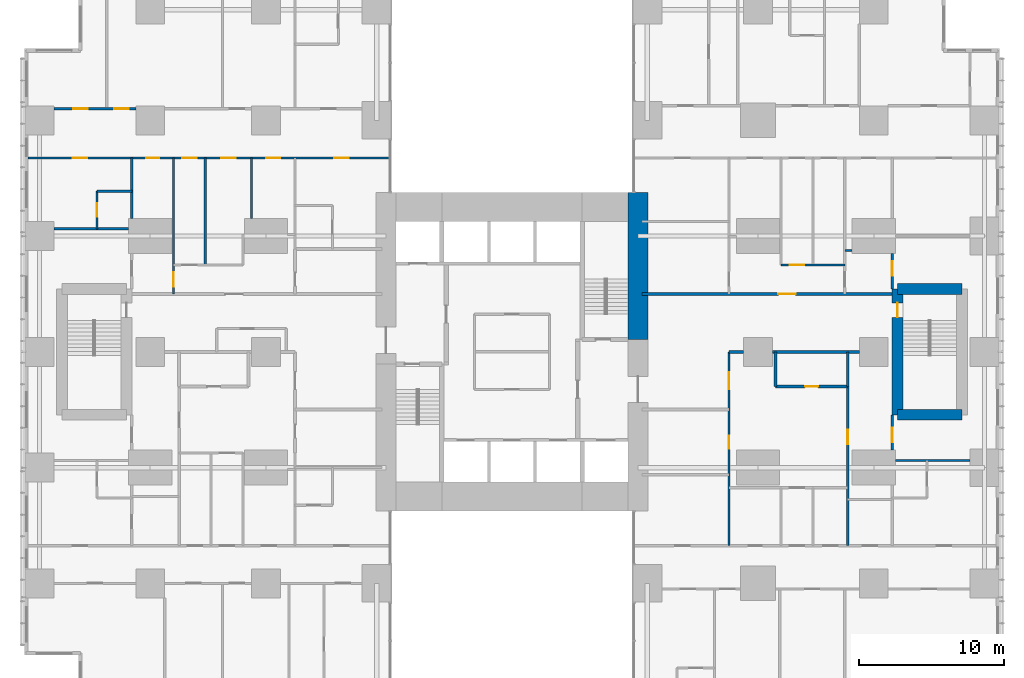
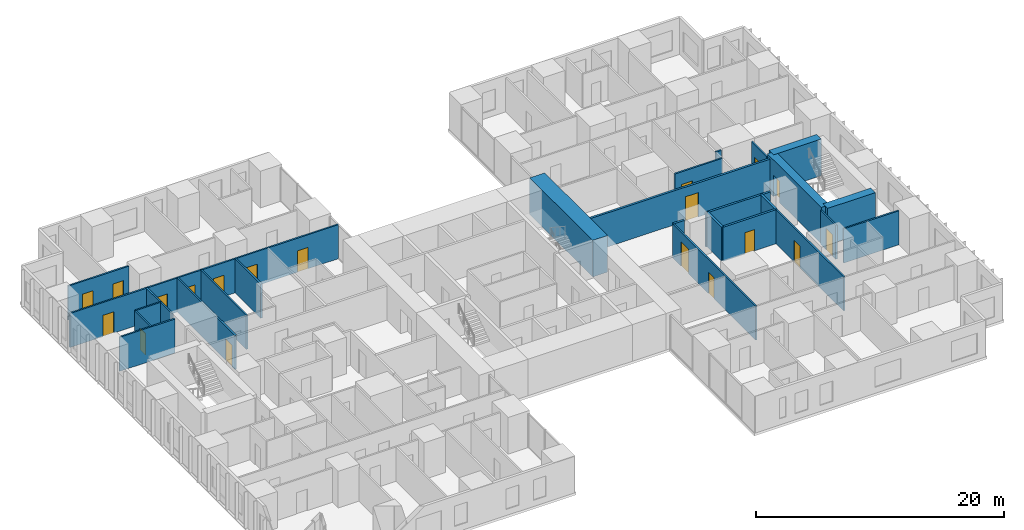
# One storey, part 16 of 20: 26 walls, 19 doors, 19 openings.
"""IFC4 building model written with IfcOpenShell, lengths in metres."""

from ifc_helpers import new_model, si_unit, direction, frame, frame_2d, origin, place, context, subcontext, project, spatial, rectangle, extrude, material, layer, layer_set, type_object, element, fill, save


model = new_model("IFC4")

# Units and contexts
model_context = context("Model", 3, precision=1e-05, world=origin(), true_north=direction((0.0, 1.0)))
body_context = subcontext(model_context, "Body", "Model", "MODEL_VIEW")
ifc_project = project(units=[si_unit("LENGTHUNIT", "METRE"), si_unit("AREAUNIT", "SQUARE_METRE"), si_unit("VOLUMEUNIT", "CUBIC_METRE"), si_unit("PLANEANGLEUNIT", "RADIAN"), si_unit("MASSUNIT", "GRAM", prefix="KILO")], contexts=[model_context])

# Site, building, storey
site_placement = place(None, origin())
site = spatial("IfcSite", under=ifc_project, at=site_placement, CompositionType="ELEMENT")
building_placement = place(site_placement, origin())
building = spatial("IfcBuilding", under=site, at=building_placement, Name="Cleftline Residences", CompositionType="ELEMENT")
storey_placement = place(building_placement, frame((0.0, 0.0, 40.39990234375)))
storey = spatial("IfcBuildingStorey", under=building, at=storey_placement, Name="L09", CompositionType="ELEMENT", Elevation=40.39990234375)

# Wall
ifc_material_1 = material(Name="Concrete B70", Category="concrete")
ifc_layer_1 = layer(ifc_material_1, 1.39990234375)
ifc_layer_set_1 = layer_set([ifc_layer_1], Name="CORE WALL 1400")
wall_type_1 = type_object("IfcWallType", Name="CORE WALL 1400", PredefinedType="SHEAR", material=ifc_layer_set_1)
wall_1_placement = place(storey_placement, frame((41.699951171875, 24.85009765625, 0.0), z_axis=(0.0, 0.0, 1.0), x_axis=(0.0, 1.0, 0.0)))
element("IfcWall", 1, at=wall_1_placement, inside=storey, type_object=wall_type_1, Name="Core wall E1", PredefinedType="SHEAR", context=body_context, shape_type="SweptSolid", body=[
    extrude(rectangle(XDim=10.14990234375, YDim=1.39990234375, at=frame_2d((5.074951171875, 0.0))), origin(), (0.0, 0.0, 1.0), 3.60009765625),
])

# Wall, opening, door
ifc_material_2 = material(Name="Concrete blockwork, fire rated", Category="masonry")
ifc_layer_2 = layer(ifc_material_2, 0.199951171875)
ifc_layer_set_2 = layer_set([ifc_layer_2], Name="FIRE WALL 200")
wall_type_2 = type_object("IfcWallType", Name="FIRE WALL 200", PredefinedType="PARTITIONING", material=ifc_layer_set_2)
wall_2_placement = place(storey_placement, frame((51.199951171875, 21.60009765625, 0.0), z_axis=(0.0, 0.0, 1.0), x_axis=(1.0, 0.0, 0.0)))
wall_2 = element("IfcWall", 2, at=wall_2_placement, inside=storey, type_object=wall_type_2, Name="Fire separating wall", PredefinedType="PARTITIONING", context=body_context, shape_type="SweptSolid", body=[
    extrude(rectangle(XDim=5.0, YDim=0.199951171875, at=frame_2d((2.5, 0.0))), origin(), (0.0, 0.0, 1.0), 3.35009765625),
])
opening_1_placement = place(wall_2_placement, frame((2.050048828125, 0.0, 0.0)))
opening_1 = element("IfcOpeningElement", 3, at=opening_1_placement, cuts=wall_2, Name="Opening D1F30", PredefinedType="OPENING", context=body_context, shape_type="SweptSolid", body=[
    extrude(rectangle(XDim=0.89990234375, YDim=2.10009765625, at=frame_2d((0.449951171875, 1.050048828125))), frame((0.0, 0.10986328125, 0.0), z_axis=(0.0, -1.0, 0.0), x_axis=(1.0, 0.0, 0.0)), (0.0, 0.0, 1.0), 0.219970703125),
])
ifc_material_3 = material(Name="Timber veneer on solid core", Category="wood")
door_type_1 = type_object("IfcDoorType", Name="DOOR 900X2100 EI 30", OperationType="SINGLE_SWING_LEFT", PredefinedType="DOOR", material=ifc_material_3)
door_1_placement = place(opening_1_placement, origin())
door_1 = element("IfcDoor", 4, at=door_1_placement, inside=storey, type_object=door_type_1, Name="Door to cloakroom wc", OperationType="SINGLE_SWING_LEFT", OverallHeight=2.10009765625, OverallWidth=0.89990234375, PredefinedType="DOOR", context=body_context, shape_type="SweptSolid", body=[
    extrude(rectangle(XDim=0.89990234375, YDim=2.10009765625, at=frame_2d((0.449951171875, 1.050048828125))), frame((0.0, 0.02490234375, 0.0), z_axis=(0.0, -1.0, 0.0), x_axis=(1.0, 0.0, 0.0)), (0.0, 0.0, 1.0), 0.050048828125),
])
fill(opening_1, door_1)

# Walls
wall_3_placement = place(storey_placement, frame((48.0, 24.0, 0.0), z_axis=(0.0, 0.0, 1.0), x_axis=(1.0, 0.0, 0.0)))
element("IfcWall", 5, at=wall_3_placement, inside=storey, type_object=wall_type_2, Name="Fire separating wall", PredefinedType="PARTITIONING", context=body_context, shape_type="SweptSolid", body=[
    extrude(rectangle(XDim=1.0, YDim=0.199951171875, at=frame_2d((0.5, 0.0))), origin(), (0.0, 0.0, 1.0), 3.35009765625),
])
wall_4_placement = place(storey_placement, frame((51.0, 24.0, 0.0), z_axis=(0.0, 0.0, 1.0), x_axis=(1.0, 0.0, 0.0)))
element("IfcWall", 6, at=wall_4_placement, inside=storey, type_object=wall_type_2, Name="Fire separating wall", PredefinedType="PARTITIONING", context=body_context, shape_type="SweptSolid", body=[
    extrude(rectangle(XDim=6.0, YDim=0.199951171875, at=frame_2d((3.0, 0.0))), origin(), (0.0, 0.0, 1.0), 3.35009765625),
])

# Wall, opening, door
wall_5_placement = place(storey_placement, frame((42.0, 28.0, 0.0), z_axis=(0.0, 0.0, 1.0), x_axis=(1.0, 0.0, 0.0)))
wall_5 = element("IfcWall", 7, at=wall_5_placement, inside=storey, type_object=wall_type_2, Name="Fire separating wall", PredefinedType="PARTITIONING", context=body_context, shape_type="SweptSolid", body=[
    extrude(rectangle(XDim=17.27490234375, YDim=0.199951171875, at=frame_2d((8.637451171875, 0.0))), origin(), (0.0, 0.0, 1.0), 3.35009765625),
])
opening_2_placement = place(wall_5_placement, frame((9.39990234375, 0.0, 0.0)))
opening_2 = element("IfcOpeningElement", 8, at=opening_2_placement, cuts=wall_5, Name="Opening D4", PredefinedType="OPENING", context=body_context, shape_type="SweptSolid", body=[
    extrude(rectangle(XDim=1.199951171875, YDim=2.39990234375, at=frame_2d((0.60009765625, 1.199951171875))), frame((0.0, 0.10986328125, 0.0), z_axis=(0.0, -1.0, 0.0), x_axis=(1.0, 0.0, 0.0)), (0.0, 0.0, 1.0), 0.219970703125),
])
ifc_material_4 = material(Name="Timber veneer on solid core", Category="wood")
door_type_2 = type_object("IfcDoorType", Name="APARTMENT ENTRANCE DOOR 1200X2400", OperationType="SINGLE_SWING_RIGHT", PredefinedType="DOOR", material=ifc_material_4)
door_2_placement = place(opening_2_placement, origin())
door_2 = element("IfcDoor", 9, at=door_2_placement, inside=storey, type_object=door_type_2, Name="Door to residence entrance foyer", OperationType="SINGLE_SWING_LEFT", OverallHeight=2.39990234375, OverallWidth=1.199951171875, PredefinedType="DOOR", context=body_context, shape_type="SweptSolid", body=[
    extrude(rectangle(XDim=1.199951171875, YDim=2.39990234375, at=frame_2d((0.60009765625, 1.199951171875))), frame((0.0, 0.02490234375, 0.0), z_axis=(0.0, -1.0, 0.0), x_axis=(1.0, 0.0, 0.0)), (0.0, 0.0, 1.0), 0.050048828125),
])
fill(opening_2, door_2)

# Walls
for number, where, z_axis, x_axis, name in (
    (10, (51.199951171875, 21.60009765625, 0.0), (0.0, 0.0, 1.0), (0.0, 1.0, 0.0), "Fire separating wall"),
    (11, (56.199951171875, 21.60009765625, 0.0), (0.0, 0.0, 1.0), (0.0, 1.0, 0.0), "Fire separating wall"),
):
    element("IfcWall", number, at=place(storey_placement, frame(where, z_axis=z_axis, x_axis=x_axis)), inside=storey, type_object=wall_type_2, Name=name, PredefinedType="PARTITIONING", context=body_context, shape_type="SweptSolid", body=[
        extrude(rectangle(XDim=2.39990234375, YDim=0.199951171875, at=frame_2d((1.199951171875, 0.0))), origin(), (0.0, 0.0, 1.0), 3.35009765625),
    ])
ifc_material_5 = material(Name="Gypsum board on steel studs", Category="steel")
ifc_layer_3 = layer(ifc_material_5, 0.14990234375)
ifc_layer_set_3 = layer_set([ifc_layer_3], Name="PARTITION 150")
wall_type_3 = type_object("IfcWallType", Name="PARTITION 150", PredefinedType="PARTITIONING", material=ifc_layer_set_3)
wall_6_placement = place(storey_placement, frame((59.5, 16.5, 0.0), z_axis=(0.0, 0.0, 1.0), x_axis=(1.0, 0.0, 0.0)))
element("IfcWall", 12, at=wall_6_placement, inside=storey, type_object=wall_type_3, Name="Partition", PredefinedType="PARTITIONING", context=body_context, shape_type="SweptSolid", body=[
    extrude(rectangle(XDim=5.14990234375, YDim=0.14990234375, at=frame_2d((2.574951171875, 0.0))), origin(), (0.0, 0.0, 1.0), 3.35009765625),
])

# Wall, opening, door
wall_7_placement = place(storey_placement, frame((51.60009765625, 30.0, 0.0), z_axis=(0.0, 0.0, 1.0), x_axis=(1.0, 0.0, 0.0)))
wall_7 = element("IfcWall", 13, at=wall_7_placement, inside=storey, type_object=wall_type_3, Name="Partition", PredefinedType="PARTITIONING", context=body_context, shape_type="SweptSolid", body=[
    extrude(rectangle(XDim=4.39990234375, YDim=0.14990234375, at=frame_2d((2.199951171875, 0.0))), origin(), (0.0, 0.0, 1.0), 3.35009765625),
])
opening_3_placement = place(wall_7_placement, frame((0.60009765625, 0.0, 0.0)))
opening_3 = element("IfcOpeningElement", 14, at=opening_3_placement, cuts=wall_7, Name="Opening D2", PredefinedType="OPENING", context=body_context, shape_type="SweptSolid", body=[
    extrude(rectangle(XDim=1.0, YDim=2.10009765625, at=frame_2d((0.5, 1.050048828125))), frame((0.0, 0.0849609375, 0.0), z_axis=(0.0, -1.0, 0.0), x_axis=(1.0, 0.0, 0.0)), (0.0, 0.0, 1.0), 0.169921875),
])
ifc_material_6 = material(Name="Timber veneer on solid core", Category="wood")
door_type_3 = type_object("IfcDoorType", Name="DOOR 1000X2100", OperationType="SINGLE_SWING_LEFT", PredefinedType="DOOR", material=ifc_material_6)
door_3_placement = place(opening_3_placement, origin())
door_3 = element("IfcDoor", 15, at=door_3_placement, inside=storey, type_object=door_type_3, Name="Door to residence passage", OperationType="SINGLE_SWING_RIGHT", OverallHeight=2.10009765625, OverallWidth=1.0, PredefinedType="DOOR", context=body_context, shape_type="SweptSolid", body=[
    extrude(rectangle(XDim=1.0, YDim=2.10009765625, at=frame_2d((0.5, 1.050048828125))), frame((0.0, 0.02490234375, 0.0), z_axis=(0.0, -1.0, 0.0), x_axis=(1.0, 0.0, 0.0)), (0.0, 0.0, 1.0), 0.050048828125),
])
fill(opening_3, door_3)

# Walls
wall_8_placement = place(storey_placement, frame((56.0, 31.0, 0.0), z_axis=(0.0, 0.0, 1.0), x_axis=(1.0, 0.0, 0.0)))
element("IfcWall", 16, at=wall_8_placement, inside=storey, type_object=wall_type_3, Name="Partition", PredefinedType="PARTITIONING", context=body_context, shape_type="SweptSolid", body=[
    extrude(rectangle(XDim=0.5, YDim=0.14990234375, at=frame_2d((0.25, 0.0))), origin(), (0.0, 0.0, 1.0), 3.35009765625),
])
wall_9_placement = place(storey_placement, frame((1.35009765625, 32.5, 0.0), z_axis=(0.0, 0.0, 1.0), x_axis=(1.0, 0.0, 0.0)))
element("IfcWall", 17, at=wall_9_placement, inside=storey, type_object=wall_type_3, Name="Partition", PredefinedType="PARTITIONING", context=body_context, shape_type="SweptSolid", body=[
    extrude(rectangle(XDim=5.14990234375, YDim=0.14990234375, at=frame_2d((2.574951171875, 0.0))), origin(), (0.0, 0.0, 1.0), 3.35009765625),
])
wall_10_placement = place(storey_placement, frame((4.324951171875, 35.10009765625, 0.0), z_axis=(0.0, 0.0, 1.0), x_axis=(1.0, 0.0, 0.0)))
element("IfcWall", 18, at=wall_10_placement, inside=storey, type_object=wall_type_3, Name="Partition", PredefinedType="PARTITIONING", context=body_context, shape_type="SweptSolid", body=[
    extrude(rectangle(XDim=2.400146484375, YDim=0.14990234375, at=frame_2d((1.2001953125, 0.0))), origin(), (0.0, 0.0, 1.0), 3.35009765625),
])

# Wall, openings, doors
wall_11_placement = place(storey_placement, frame((-0.449951171875, 37.39990234375, 0.0), z_axis=(0.0, 0.0, 1.0), x_axis=(1.0, 0.0, 0.0)))
wall_11 = element("IfcWall", 19, at=wall_11_placement, inside=storey, type_object=wall_type_3, Name="Partition", PredefinedType="PARTITIONING", context=body_context, shape_type="SweptSolid", body=[
    extrude(rectangle(XDim=25.010986328125, YDim=0.14990234375, at=frame_2d((12.50537109375, 0.0))), origin(), (0.0, 0.0, 1.0), 3.35009765625),
])
opening_4_placement = place(wall_11_placement, frame((10.64990234375, 0.0, 0.0)))
opening_4 = element("IfcOpeningElement", 20, at=opening_4_placement, cuts=wall_11, Name="Opening D2", PredefinedType="OPENING", context=body_context, shape_type="SweptSolid", body=[
    extrude(rectangle(XDim=1.0, YDim=2.10009765625, at=frame_2d((0.5, 1.050048828125))), frame((0.0, 0.0849609375, 0.0), z_axis=(0.0, -1.0, 0.0), x_axis=(1.0, 0.0, 0.0)), (0.0, 0.0, 1.0), 0.169921875),
])
opening_5_placement = place(wall_11_placement, frame((3.08740234375, 0.0, 0.0)))
opening_5 = element("IfcOpeningElement", 21, at=opening_5_placement, cuts=wall_11, Name="Opening D2", PredefinedType="OPENING", context=body_context, shape_type="SweptSolid", body=[
    extrude(rectangle(XDim=1.0, YDim=2.10009765625, at=frame_2d((0.5, 1.050048828125))), frame((0.0, 0.0849609375, 0.0), z_axis=(0.0, -1.0, 0.0), x_axis=(1.0, 0.0, 0.0)), (0.0, 0.0, 1.0), 0.169921875),
])
opening_6_placement = place(wall_11_placement, frame((8.16259765625, 0.0, 0.0)))
opening_6 = element("IfcOpeningElement", 22, at=opening_6_placement, cuts=wall_11, Name="Opening D1", PredefinedType="OPENING", context=body_context, shape_type="SweptSolid", body=[
    extrude(rectangle(XDim=0.89990234375, YDim=2.10009765625, at=frame_2d((0.449951171875, 1.050048828125))), frame((0.0, 0.0849609375, 0.0), z_axis=(0.0, -1.0, 0.0), x_axis=(1.0, 0.0, 0.0)), (0.0, 0.0, 1.0), 0.169921875),
])
opening_7_placement = place(wall_11_placement, frame((13.35009765625, 0.0, 0.0)))
opening_7 = element("IfcOpeningElement", 23, at=opening_7_placement, cuts=wall_11, Name="Opening D2", PredefinedType="OPENING", context=body_context, shape_type="SweptSolid", body=[
    extrude(rectangle(XDim=1.0, YDim=2.10009765625, at=frame_2d((0.5, 1.050048828125))), frame((0.0, 0.0849609375, 0.0), z_axis=(0.0, -1.0, 0.0), x_axis=(1.0, 0.0, 0.0)), (0.0, 0.0, 1.0), 0.169921875),
])
opening_8_placement = place(wall_11_placement, frame((16.449951171875, 0.0, 0.0)))
opening_8 = element("IfcOpeningElement", 24, at=opening_8_placement, cuts=wall_11, Name="Opening D2", PredefinedType="OPENING", context=body_context, shape_type="SweptSolid", body=[
    extrude(rectangle(XDim=1.0, YDim=2.10009765625, at=frame_2d((0.5, 1.050048828125))), frame((0.0, 0.0849609375, 0.0), z_axis=(0.0, -1.0, 0.0), x_axis=(1.0, 0.0, 0.0)), (0.0, 0.0, 1.0), 0.169921875),
])
opening_9_placement = place(wall_11_placement, frame((21.175048828125, 0.0, 0.0)))
opening_9 = element("IfcOpeningElement", 25, at=opening_9_placement, cuts=wall_11, Name="Opening D2", PredefinedType="OPENING", context=body_context, shape_type="SweptSolid", body=[
    extrude(rectangle(XDim=1.0, YDim=2.10009765625, at=frame_2d((0.5, 1.050048828125))), frame((0.0, 0.0849609375, 0.0), z_axis=(0.0, -1.0, 0.0), x_axis=(1.0, 0.0, 0.0)), (0.0, 0.0, 1.0), 0.169921875),
])
door_4_placement = place(opening_4_placement, origin())
door_4 = element("IfcDoor", 26, at=door_4_placement, inside=storey, type_object=door_type_3, Name="Door to residence hall", OperationType="SINGLE_SWING_RIGHT", OverallHeight=2.10009765625, OverallWidth=1.0, PredefinedType="DOOR", context=body_context, shape_type="SweptSolid", body=[
    extrude(rectangle(XDim=1.0, YDim=2.10009765625, at=frame_2d((0.5, 1.050048828125))), frame((0.0, 0.02490234375, 0.0), z_axis=(0.0, -1.0, 0.0), x_axis=(1.0, 0.0, 0.0)), (0.0, 0.0, 1.0), 0.050048828125),
])
fill(opening_4, door_4)
door_5_placement = place(opening_5_placement, origin())
door_5 = element("IfcDoor", 27, at=door_5_placement, inside=storey, type_object=door_type_3, Name="Door to bedroom 2", OperationType="SINGLE_SWING_RIGHT", OverallHeight=2.10009765625, OverallWidth=1.0, PredefinedType="DOOR", context=body_context, shape_type="SweptSolid", body=[
    extrude(rectangle(XDim=1.0, YDim=2.10009765625, at=frame_2d((0.5, 1.050048828125))), frame((0.0, 0.02490234375, 0.0), z_axis=(0.0, -1.0, 0.0), x_axis=(1.0, 0.0, 0.0)), (0.0, 0.0, 1.0), 0.050048828125),
])
fill(opening_5, door_5)
door_6_placement = place(opening_7_placement, origin())
door_6 = element("IfcDoor", 28, at=door_6_placement, inside=storey, type_object=door_type_3, Name="Door to family room", OperationType="SINGLE_SWING_LEFT", OverallHeight=2.10009765625, OverallWidth=1.0, PredefinedType="DOOR", context=body_context, shape_type="SweptSolid", body=[
    extrude(rectangle(XDim=1.0, YDim=2.10009765625, at=frame_2d((0.5, 1.050048828125))), frame((0.0, 0.02490234375, 0.0), z_axis=(0.0, -1.0, 0.0), x_axis=(1.0, 0.0, 0.0)), (0.0, 0.0, 1.0), 0.050048828125),
])
fill(opening_7, door_6)
door_7_placement = place(opening_8_placement, origin())
door_7 = element("IfcDoor", 29, at=door_7_placement, inside=storey, type_object=door_type_3, Name="Door to wet kitchen", OperationType="SINGLE_SWING_LEFT", OverallHeight=2.10009765625, OverallWidth=1.0, PredefinedType="DOOR", context=body_context, shape_type="SweptSolid", body=[
    extrude(rectangle(XDim=1.0, YDim=2.10009765625, at=frame_2d((0.5, 1.050048828125))), frame((0.0, 0.02490234375, 0.0), z_axis=(0.0, -1.0, 0.0), x_axis=(1.0, 0.0, 0.0)), (0.0, 0.0, 1.0), 0.050048828125),
])
fill(opening_8, door_7)
door_8_placement = place(opening_9_placement, origin())
door_8 = element("IfcDoor", 30, at=door_8_placement, inside=storey, type_object=door_type_3, Name="Door to bedroom 3", OperationType="SINGLE_SWING_LEFT", OverallHeight=2.10009765625, OverallWidth=1.0, PredefinedType="DOOR", context=body_context, shape_type="SweptSolid", body=[
    extrude(rectangle(XDim=1.0, YDim=2.10009765625, at=frame_2d((0.5, 1.050048828125))), frame((0.0, 0.02490234375, 0.0), z_axis=(0.0, -1.0, 0.0), x_axis=(1.0, 0.0, 0.0)), (0.0, 0.0, 1.0), 0.050048828125),
])
fill(opening_9, door_8)
ifc_material_7 = material(Name="Timber veneer on solid core", Category="wood")
door_type_4 = type_object("IfcDoorType", Name="DOOR 900X2100", OperationType="SINGLE_SWING_LEFT", PredefinedType="DOOR", material=ifc_material_7)
door_9_placement = place(opening_6_placement, origin())
door_9 = element("IfcDoor", 31, at=door_9_placement, inside=storey, type_object=door_type_4, Name="Door to linen store", OperationType="SINGLE_SWING_RIGHT", OverallHeight=2.10009765625, OverallWidth=0.89990234375, PredefinedType="DOOR", context=body_context, shape_type="SweptSolid", body=[
    extrude(rectangle(XDim=0.89990234375, YDim=2.10009765625, at=frame_2d((0.449951171875, 1.050048828125))), frame((0.0, 0.02490234375, 0.0), z_axis=(0.0, -1.0, 0.0), x_axis=(1.0, 0.0, 0.0)), (0.0, 0.0, 1.0), 0.050048828125),
])
fill(opening_6, door_9)

wall_12_placement = place(storey_placement, frame((1.35009765625, 40.800048828125, 0.0), z_axis=(0.0, 0.0, 1.0), x_axis=(1.0, 0.0, 0.0)))
wall_12 = element("IfcWall", 32, at=wall_12_placement, inside=storey, type_object=wall_type_3, Name="Partition", PredefinedType="PARTITIONING", context=body_context, shape_type="SweptSolid", body=[
    extrude(rectangle(XDim=5.64990234375, YDim=0.14990234375, at=frame_2d((2.824951171875, 0.0))), origin(), (0.0, 0.0, 1.0), 3.35009765625),
])
opening_10_placement = place(wall_12_placement, frame((1.324951171875, 0.0, 0.0)))
opening_10 = element("IfcOpeningElement", 33, at=opening_10_placement, cuts=wall_12, Name="Opening D2", PredefinedType="OPENING", context=body_context, shape_type="SweptSolid", body=[
    extrude(rectangle(XDim=1.0, YDim=2.10009765625, at=frame_2d((0.5, 1.050048828125))), frame((0.0, 0.0849609375, 0.0), z_axis=(0.0, -1.0, 0.0), x_axis=(1.0, 0.0, 0.0)), (0.0, 0.0, 1.0), 0.169921875),
])
opening_11_placement = place(wall_12_placement, frame((4.14990234375, 0.0, 0.0)))
opening_11 = element("IfcOpeningElement", 34, at=opening_11_placement, cuts=wall_12, Name="Opening D2", PredefinedType="OPENING", context=body_context, shape_type="SweptSolid", body=[
    extrude(rectangle(XDim=1.0, YDim=2.10009765625, at=frame_2d((0.5, 1.050048828125))), frame((0.0, 0.0849609375, 0.0), z_axis=(0.0, -1.0, 0.0), x_axis=(1.0, 0.0, 0.0)), (0.0, 0.0, 1.0), 0.169921875),
])
door_10_placement = place(opening_10_placement, origin())
door_10 = element("IfcDoor", 35, at=door_10_placement, inside=storey, type_object=door_type_3, Name="Door to winter garden", OperationType="SINGLE_SWING_RIGHT", OverallHeight=2.10009765625, OverallWidth=1.0, PredefinedType="DOOR", context=body_context, shape_type="SweptSolid", body=[
    extrude(rectangle(XDim=1.0, YDim=2.10009765625, at=frame_2d((0.5, 1.050048828125))), frame((0.0, 0.02490234375, 0.0), z_axis=(0.0, -1.0, 0.0), x_axis=(1.0, 0.0, 0.0)), (0.0, 0.0, 1.0), 0.050048828125),
])
fill(opening_10, door_10)
door_11_placement = place(opening_11_placement, origin())
door_11 = element("IfcDoor", 36, at=door_11_placement, inside=storey, type_object=door_type_3, Name="Door to living and dining room", OperationType="SINGLE_SWING_LEFT", OverallHeight=2.10009765625, OverallWidth=1.0, PredefinedType="DOOR", context=body_context, shape_type="SweptSolid", body=[
    extrude(rectangle(XDim=1.0, YDim=2.10009765625, at=frame_2d((0.5, 1.050048828125))), frame((0.0, 0.02490234375, 0.0), z_axis=(0.0, -1.0, 0.0), x_axis=(1.0, 0.0, 0.0)), (0.0, 0.0, 1.0), 0.050048828125),
])
fill(opening_11, door_11)

# Wall, opening, door
wall_13_placement = place(storey_placement, frame((4.324951171875, 32.5, 0.0), z_axis=(0.0, 0.0, 1.0), x_axis=(0.0, 1.0, 0.0)))
wall_13 = element("IfcWall", 37, at=wall_13_placement, inside=storey, type_object=wall_type_3, Name="Partition", PredefinedType="PARTITIONING", context=body_context, shape_type="SweptSolid", body=[
    extrude(rectangle(XDim=2.60009765625, YDim=0.14990234375, at=frame_2d((1.300048828125, 0.0))), origin(), (0.0, 0.0, 1.0), 3.35009765625),
])
opening_12_placement = place(wall_13_placement, frame((0.85009765625, 0.0, 0.0)))
opening_12 = element("IfcOpeningElement", 38, at=opening_12_placement, cuts=wall_13, Name="Opening D1", PredefinedType="OPENING", context=body_context, shape_type="SweptSolid", body=[
    extrude(rectangle(XDim=0.89990234375, YDim=2.10009765625, at=frame_2d((0.449951171875, 1.050048828125))), frame((0.0, 0.0849609375, 0.0), z_axis=(0.0, -1.0, 0.0), x_axis=(1.0, 0.0, 0.0)), (0.0, 0.0, 1.0), 0.169921875),
])
door_12_placement = place(opening_12_placement, origin())
door_12 = element("IfcDoor", 39, at=door_12_placement, inside=storey, type_object=door_type_4, Name="Door to en-suite bathroom 2", OperationType="SINGLE_SWING_LEFT", OverallHeight=2.10009765625, OverallWidth=0.89990234375, PredefinedType="DOOR", context=body_context, shape_type="SweptSolid", body=[
    extrude(rectangle(XDim=0.89990234375, YDim=2.10009765625, at=frame_2d((0.449951171875, 1.050048828125))), frame((0.0, 0.02490234375, 0.0), z_axis=(0.0, -1.0, 0.0), x_axis=(1.0, 0.0, 0.0)), (0.0, 0.0, 1.0), 0.050048828125),
])
fill(opening_12, door_12)

# Wall
wall_14_placement = place(storey_placement, frame((6.72509765625, 33.199951171875, 0.0), z_axis=(0.0, 0.0, 1.0), x_axis=(0.0, 1.0, 0.0)))
element("IfcWall", 40, at=wall_14_placement, inside=storey, type_object=wall_type_3, Name="Partition", PredefinedType="PARTITIONING", context=body_context, shape_type="SweptSolid", body=[
    extrude(rectangle(XDim=4.199951171875, YDim=0.14990234375, at=frame_2d((2.10009765625, 0.0))), origin(), (0.0, 0.0, 1.0), 3.35009765625),
])

# Wall, opening, door
wall_15_placement = place(storey_placement, frame((9.60009765625, 28.0, 0.0), z_axis=(0.0, 0.0, 1.0), x_axis=(0.0, 1.0, 0.0)))
wall_15 = element("IfcWall", 41, at=wall_15_placement, inside=storey, type_object=wall_type_3, Name="Partition", PredefinedType="PARTITIONING", context=body_context, shape_type="SweptSolid", body=[
    extrude(rectangle(XDim=9.39990234375, YDim=0.14990234375, at=frame_2d((4.699951171875, 0.0))), origin(), (0.0, 0.0, 1.0), 3.35009765625),
])
opening_13_placement = place(wall_15_placement, frame((0.5, 0.0, 0.0)))
opening_13 = element("IfcOpeningElement", 42, at=opening_13_placement, cuts=wall_15, Name="Opening D2F30", PredefinedType="OPENING", context=body_context, shape_type="SweptSolid", body=[
    extrude(rectangle(XDim=1.0, YDim=2.10009765625, at=frame_2d((0.5, 1.050048828125))), frame((0.0, 0.0849609375, 0.0), z_axis=(0.0, -1.0, 0.0), x_axis=(1.0, 0.0, 0.0)), (0.0, 0.0, 1.0), 0.169921875),
])
ifc_material_8 = material(Name="Timber veneer on solid core", Category="wood")
door_type_5 = type_object("IfcDoorType", Name="DOOR 1000X2100 EI 30", OperationType="SINGLE_SWING_LEFT", PredefinedType="DOOR", material=ifc_material_8)
door_13_placement = place(opening_13_placement, origin())
door_13 = element("IfcDoor", 43, at=door_13_placement, inside=storey, type_object=door_type_5, Name="Door to residence lobby (service)", OperationType="SINGLE_SWING_RIGHT", OverallHeight=2.10009765625, OverallWidth=1.0, PredefinedType="DOOR", context=body_context, shape_type="SweptSolid", body=[
    extrude(rectangle(XDim=1.0, YDim=2.10009765625, at=frame_2d((0.5, 1.050048828125))), frame((0.0, 0.02490234375, 0.0), z_axis=(0.0, -1.0, 0.0), x_axis=(1.0, 0.0, 0.0)), (0.0, 0.0, 1.0), 0.050048828125),
])
fill(opening_13, door_13)

# Walls
wall_16_placement = place(storey_placement, frame((11.800048828125, 30.0, 0.0), z_axis=(0.0, 0.0, 1.0), x_axis=(0.0, 1.0, 0.0)))
element("IfcWall", 44, at=wall_16_placement, inside=storey, type_object=wall_type_3, Name="Partition", PredefinedType="PARTITIONING", context=body_context, shape_type="SweptSolid", body=[
    extrude(rectangle(XDim=7.39990234375, YDim=0.14990234375, at=frame_2d((3.699951171875, 0.0))), origin(), (0.0, 0.0, 1.0), 3.35009765625),
])
wall_17_placement = place(storey_placement, frame((15.0, 33.199951171875, 0.0), z_axis=(0.0, 0.0, 1.0), x_axis=(0.0, 1.0, 0.0)))
element("IfcWall", 45, at=wall_17_placement, inside=storey, type_object=wall_type_3, Name="Partition", PredefinedType="PARTITIONING", context=body_context, shape_type="SweptSolid", body=[
    extrude(rectangle(XDim=4.199951171875, YDim=0.14990234375, at=frame_2d((2.10009765625, 0.0))), origin(), (0.0, 0.0, 1.0), 3.35009765625),
])

# Wall, openings, doors
wall_18_placement = place(storey_placement, frame((48.0, 10.60009765625, 0.0), z_axis=(0.0, 0.0, 1.0), x_axis=(0.0, 1.0, 0.0)))
wall_18 = element("IfcWall", 46, at=wall_18_placement, inside=storey, type_object=wall_type_3, Name="Partition", PredefinedType="PARTITIONING", context=body_context, shape_type="SweptSolid", body=[
    extrude(rectangle(XDim=13.39990234375, YDim=0.14990234375, at=frame_2d((6.699951171875, 0.0))), origin(), (0.0, 0.0, 1.0), 3.35009765625),
])
opening_14_placement = place(wall_18_placement, frame((10.800048828125, 0.0, 0.0)))
opening_14 = element("IfcOpeningElement", 47, at=opening_14_placement, cuts=wall_18, Name="Opening D4", PredefinedType="OPENING", context=body_context, shape_type="SweptSolid", body=[
    extrude(rectangle(XDim=1.199951171875, YDim=2.39990234375, at=frame_2d((0.60009765625, 1.199951171875))), frame((0.0, 0.0849609375, 0.0), z_axis=(0.0, -1.0, 0.0), x_axis=(1.0, 0.0, 0.0)), (0.0, 0.0, 1.0), 0.169921875),
])
opening_15_placement = place(wall_18_placement, frame((6.699951171875, 0.0, 0.0)))
opening_15 = element("IfcOpeningElement", 48, at=opening_15_placement, cuts=wall_18, Name="Opening D1F60", PredefinedType="OPENING", context=body_context, shape_type="SweptSolid", body=[
    extrude(rectangle(XDim=0.89990234375, YDim=2.10009765625, at=frame_2d((0.449951171875, 1.050048828125))), frame((0.0, 0.0849609375, 0.0), z_axis=(0.0, -1.0, 0.0), x_axis=(1.0, 0.0, 0.0)), (0.0, 0.0, 1.0), 0.169921875),
])
door_14_placement = place(opening_14_placement, origin())
door_14 = element("IfcDoor", 49, at=door_14_placement, inside=storey, type_object=door_type_2, Name="Door to residence entrance foyer", OperationType="SINGLE_SWING_LEFT", OverallHeight=2.39990234375, OverallWidth=1.199951171875, PredefinedType="DOOR", context=body_context, shape_type="SweptSolid", body=[
    extrude(rectangle(XDim=1.199951171875, YDim=2.39990234375, at=frame_2d((0.60009765625, 1.199951171875))), frame((0.0, 0.02490234375, 0.0), z_axis=(0.0, -1.0, 0.0), x_axis=(1.0, 0.0, 0.0)), (0.0, 0.0, 1.0), 0.050048828125),
])
fill(opening_14, door_14)
ifc_material_9 = material(Name="Timber veneer on solid core", Category="wood")
door_type_6 = type_object("IfcDoorType", Name="DOOR 900X2100 EI 60", OperationType="SINGLE_SWING_LEFT", PredefinedType="DOOR", material=ifc_material_9)
door_15_placement = place(opening_15_placement, origin())
door_15 = element("IfcDoor", 50, at=door_15_placement, inside=storey, type_object=door_type_6, Name="Door to utility room", OperationType="SINGLE_SWING_LEFT", OverallHeight=2.10009765625, OverallWidth=0.89990234375, PredefinedType="DOOR", context=body_context, shape_type="SweptSolid", body=[
    extrude(rectangle(XDim=0.89990234375, YDim=2.10009765625, at=frame_2d((0.449951171875, 1.050048828125))), frame((0.0, 0.02490234375, 0.0), z_axis=(0.0, -1.0, 0.0), x_axis=(1.0, 0.0, 0.0)), (0.0, 0.0, 1.0), 0.050048828125),
])
fill(opening_15, door_15)

# Wall, opening, door
wall_19_placement = place(storey_placement, frame((56.199951171875, 10.60009765625, 0.0), z_axis=(0.0, 0.0, 1.0), x_axis=(0.0, 1.0, 0.0)))
wall_19 = element("IfcWall", 51, at=wall_19_placement, inside=storey, type_object=wall_type_3, Name="Partition", PredefinedType="PARTITIONING", context=body_context, shape_type="SweptSolid", body=[
    extrude(rectangle(XDim=11.0, YDim=0.14990234375, at=frame_2d((5.5, 0.0))), origin(), (0.0, 0.0, 1.0), 3.35009765625),
])
opening_16_placement = place(wall_19_placement, frame((7.0, 0.0, 0.0)))
opening_16 = element("IfcOpeningElement", 52, at=opening_16_placement, cuts=wall_19, Name="Opening D2F30", PredefinedType="OPENING", context=body_context, shape_type="SweptSolid", body=[
    extrude(rectangle(XDim=1.0, YDim=2.10009765625, at=frame_2d((0.5, 1.050048828125))), frame((0.0, 0.0849609375, 0.0), z_axis=(0.0, -1.0, 0.0), x_axis=(1.0, 0.0, 0.0)), (0.0, 0.0, 1.0), 0.169921875),
])
door_16_placement = place(opening_16_placement, origin())
door_16 = element("IfcDoor", 53, at=door_16_placement, inside=storey, type_object=door_type_5, Name="Door to residence lobby", OperationType="SINGLE_SWING_LEFT", OverallHeight=2.10009765625, OverallWidth=1.0, PredefinedType="DOOR", context=body_context, shape_type="SweptSolid", body=[
    extrude(rectangle(XDim=1.0, YDim=2.10009765625, at=frame_2d((0.5, 1.050048828125))), frame((0.0, 0.02490234375, 0.0), z_axis=(0.0, -1.0, 0.0), x_axis=(1.0, 0.0, 0.0)), (0.0, 0.0, 1.0), 0.050048828125),
])
fill(opening_16, door_16)

wall_20_placement = place(storey_placement, frame((59.27490234375, 17.199951171875, 0.0), z_axis=(0.0, 0.0, 1.0), x_axis=(0.0, 1.0, 0.0)))
wall_20 = element("IfcWall", 54, at=wall_20_placement, inside=storey, type_object=wall_type_3, Name="Partition", PredefinedType="PARTITIONING", context=body_context, shape_type="SweptSolid", body=[
    extrude(rectangle(XDim=2.449951171875, YDim=0.14990234375, at=frame_2d((1.22509765625, 0.0))), origin(), (0.0, 0.0, 1.0), 3.35009765625),
])
opening_17_placement = place(wall_20_placement, frame((0.53759765625, 0.0, 0.0)))
opening_17 = element("IfcOpeningElement", 55, at=opening_17_placement, cuts=wall_20, Name="Opening D2", PredefinedType="OPENING", context=body_context, shape_type="SweptSolid", body=[
    extrude(rectangle(XDim=1.0, YDim=2.10009765625, at=frame_2d((0.5, 1.050048828125))), frame((0.0, 0.0849609375, 0.0), z_axis=(0.0, -1.0, 0.0), x_axis=(1.0, 0.0, 0.0)), (0.0, 0.0, 1.0), 0.169921875),
])
door_17_placement = place(opening_17_placement, origin())
door_17 = element("IfcDoor", 56, at=door_17_placement, inside=storey, type_object=door_type_3, Name="Door to bedroom 2", OperationType="SINGLE_SWING_RIGHT", OverallHeight=2.10009765625, OverallWidth=1.0, PredefinedType="DOOR", context=body_context, shape_type="SweptSolid", body=[
    extrude(rectangle(XDim=1.0, YDim=2.10009765625, at=frame_2d((0.5, 1.050048828125))), frame((0.0, 0.02490234375, 0.0), z_axis=(0.0, -1.0, 0.0), x_axis=(1.0, 0.0, 0.0)), (0.0, 0.0, 1.0), 0.050048828125),
])
fill(opening_17, door_17)

wall_21_placement = place(storey_placement, frame((59.27490234375, 28.35009765625, 0.0), z_axis=(0.0, 0.0, 1.0), x_axis=(0.0, 1.0, 0.0)))
wall_21 = element("IfcWall", 57, at=wall_21_placement, inside=storey, type_object=wall_type_3, Name="Partition", PredefinedType="PARTITIONING", context=body_context, shape_type="SweptSolid", body=[
    extrude(rectangle(XDim=2.449951171875, YDim=0.14990234375, at=frame_2d((1.22509765625, 0.0))), origin(), (0.0, 0.0, 1.0), 3.35009765625),
])
opening_18_placement = place(wall_21_placement, frame((0.91259765625, 0.0, 0.0)))
opening_18 = element("IfcOpeningElement", 58, at=opening_18_placement, cuts=wall_21, Name="Opening D2", PredefinedType="OPENING", context=body_context, shape_type="SweptSolid", body=[
    extrude(rectangle(XDim=1.0, YDim=2.10009765625, at=frame_2d((0.5, 1.050048828125))), frame((0.0, 0.0849609375, 0.0), z_axis=(0.0, -1.0, 0.0), x_axis=(1.0, 0.0, 0.0)), (0.0, 0.0, 1.0), 0.169921875),
])
door_18_placement = place(opening_18_placement, origin())
door_18 = element("IfcDoor", 59, at=door_18_placement, inside=storey, type_object=door_type_3, Name="Door to sea-view dining room", OperationType="SINGLE_SWING_LEFT", OverallHeight=2.10009765625, OverallWidth=1.0, PredefinedType="DOOR", context=body_context, shape_type="SweptSolid", body=[
    extrude(rectangle(XDim=1.0, YDim=2.10009765625, at=frame_2d((0.5, 1.050048828125))), frame((0.0, 0.02490234375, 0.0), z_axis=(0.0, -1.0, 0.0), x_axis=(1.0, 0.0, 0.0)), (0.0, 0.0, 1.0), 0.050048828125),
])
fill(opening_18, door_18)

# Walls
ifc_material_10 = material(Name="Concrete B70", Category="concrete")
ifc_layer_4 = layer(ifc_material_10, 0.75)
ifc_layer_set_4 = layer_set([ifc_layer_4], Name="SHEAR WALL 750")
wall_type_4 = type_object("IfcWallType", Name="SHEAR WALL 750", PredefinedType="SHEAR", material=ifc_layer_set_4)
for number, where, z_axis, x_axis, name in (
    (60, (59.64990234375, 19.64990234375, 0.0), (0.0, 0.0, 1.0), (1.0, 0.0, 0.0), "Wing shear wall"),
    (61, (64.10009765625, 28.35009765625, 0.0), (0.0, 0.0, 1.0), (-1.0, 0.0, 0.0), "Wing shear wall"),
):
    element("IfcWall", number, at=place(storey_placement, frame(where, z_axis=z_axis, x_axis=x_axis)), inside=storey, type_object=wall_type_4, Name=name, PredefinedType="SHEAR", context=body_context, shape_type="SweptSolid", body=[
        extrude(rectangle(XDim=4.4501953125, YDim=0.75, at=frame_2d((2.22509765625, 0.0))), origin(), (0.0, 0.0, 1.0), 3.60009765625),
    ])

# Wall, opening, door
wall_22_placement = place(storey_placement, frame((59.64990234375, 28.35009765625, 0.0), z_axis=(0.0, 0.0, 1.0), x_axis=(0.0, -1.0, 0.0)))
wall_22 = element("IfcWall", 62, at=wall_22_placement, inside=storey, type_object=wall_type_4, Name="Wing shear wall", PredefinedType="SHEAR", context=body_context, shape_type="SweptSolid", body=[
    extrude(rectangle(XDim=8.7001953125, YDim=0.75, at=frame_2d((4.35009765625, 0.0))), origin(), (0.0, 0.0, 1.0), 3.60009765625),
])
opening_19_placement = place(wall_22_placement, frame((0.97509765625, 0.0, 0.0)))
opening_19 = element("IfcOpeningElement", 63, at=opening_19_placement, cuts=wall_22, Name="Opening D5", PredefinedType="OPENING", context=body_context, shape_type="SweptSolid", body=[
    extrude(rectangle(XDim=1.0, YDim=2.10009765625, at=frame_2d((0.5, 1.050048828125))), frame((0.0, 0.385009765625, 0.0), z_axis=(0.0, -1.0, 0.0), x_axis=(1.0, 0.0, 0.0)), (0.0, 0.0, 1.0), 0.77001953125),
])
ifc_material_11 = material(Name="Steel", Category="steel")
door_type_7 = type_object("IfcDoorType", Name="STAIR DOOR 1000X2100", OperationType="SINGLE_SWING_LEFT", PredefinedType="DOOR", material=ifc_material_11)
door_19_placement = place(opening_19_placement, origin())
door_19 = element("IfcDoor", 64, at=door_19_placement, inside=storey, type_object=door_type_7, Name="Stair E door", OperationType="SINGLE_SWING_RIGHT", OverallHeight=2.10009765625, OverallWidth=1.0, PredefinedType="DOOR", context=body_context, shape_type="SweptSolid", body=[
    extrude(rectangle(XDim=1.0, YDim=2.10009765625, at=frame_2d((0.5, 1.050048828125))), frame((0.0, 0.02490234375, 0.0), z_axis=(0.0, -1.0, 0.0), x_axis=(1.0, 0.0, 0.0)), (0.0, 0.0, 1.0), 0.050048828125),
])
fill(opening_19, door_19)

save(model, "model.ifc")
